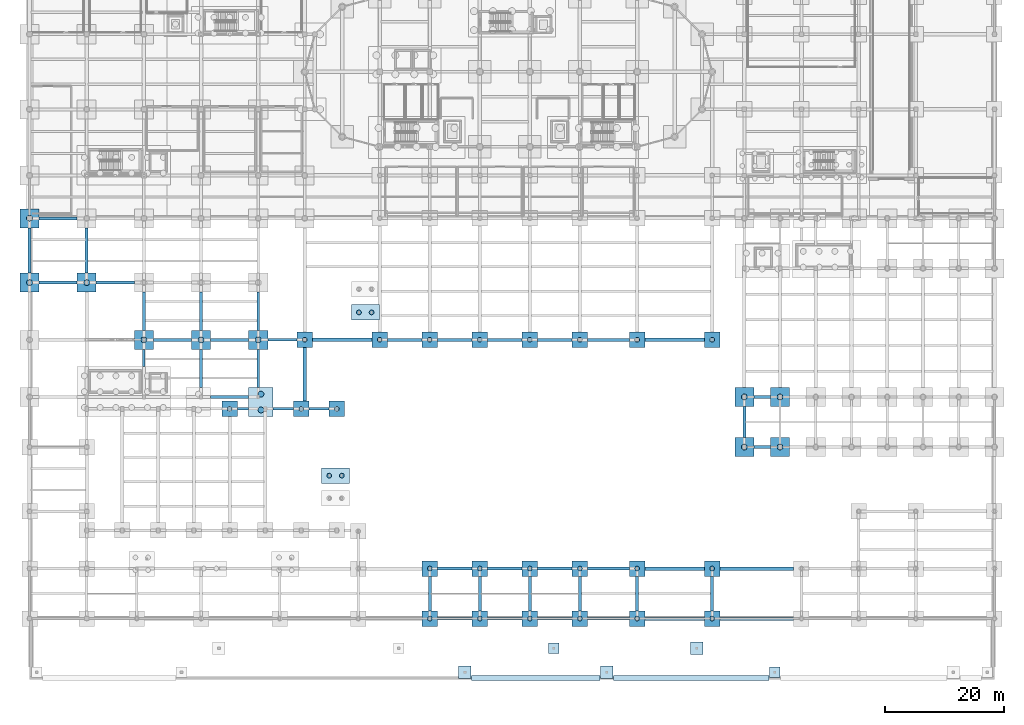
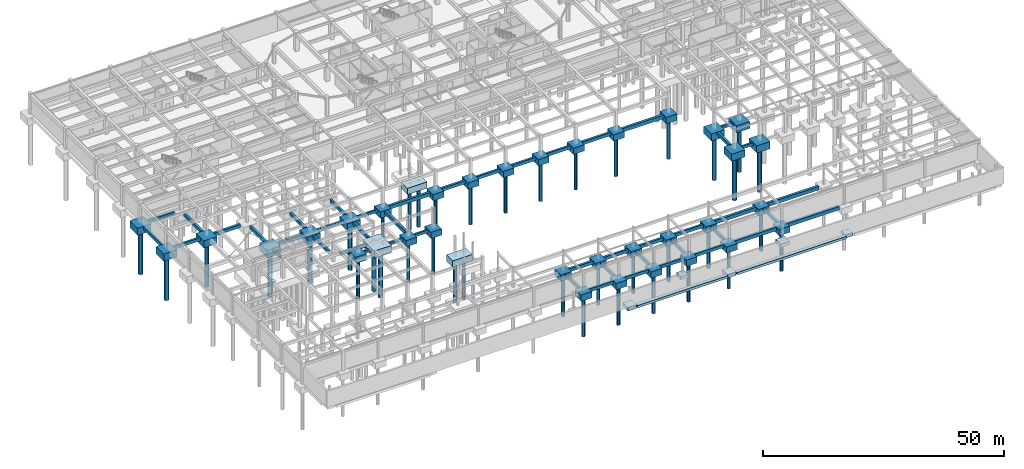
# One storey, part 2 of 37: 90 footings, 39 piles.
"""IFC4 building model written with IfcOpenShell, lengths in metres."""

from ifc_helpers import new_model, si_unit, direction, frame, origin, origin_2d, place, context, subcontext, project, spatial, rectangle, circle, extrude, material, material_profile, profile_set, type_object, element, save


model = new_model("IFC4")

# Units and contexts
model_context = context("Model", 3, precision=1e-05, world=origin(), true_north=direction((0.0, 1.0)))
body_context = subcontext(model_context, "Body", "Model", "MODEL_VIEW")
ifc_project = project(units=[si_unit("LENGTHUNIT", "METRE"), si_unit("AREAUNIT", "SQUARE_METRE"), si_unit("VOLUMEUNIT", "CUBIC_METRE"), si_unit("PLANEANGLEUNIT", "RADIAN"), si_unit("MASSUNIT", "GRAM", prefix="KILO")], contexts=[model_context])

# Site, building, storey
site_placement = place(None, origin())
site = spatial("IfcSite", under=ifc_project, at=site_placement, CompositionType="ELEMENT")
building_placement = place(site_placement, origin())
building = spatial("IfcBuilding", under=site, at=building_placement, Name="Tarnavel Promenade Courthouse", CompositionType="ELEMENT")
storey_placement = place(building_placement, frame((0.0, 0.0, -4.800048828125)))
storey = spatial("IfcBuildingStorey", under=building, at=storey_placement, Name="B01", CompositionType="ELEMENT", Elevation=-4.800048828125)

# Piles
ifc_material_1 = material(Name="Concrete C30/37", Category="concrete")
ifc_material_profile_1 = material_profile(ifc_material_1, circle(Radius=0.5, at=origin_2d()), Name="PILE D1000")
ifc_profile_set_1 = profile_set([ifc_material_profile_1], Name="Concrete C30/37")
pile_type_1 = type_object("IfcPileType", Name="Concrete C30/37 PIL-D1000 (PILE D1000)", PredefinedType="BORED", material=ifc_profile_set_1)
for number, where, z_axis, x_axis, name in (
    (1, (120.0, 28.800048828125, -2.119873046875), (0.0, 0.0, -1.0), (1.0, 0.0, 0.0), "Bored Pile 049-11"),
    (2, (126.0, 28.800048828125, -2.119873046875), (0.0, 0.0, -1.0), (1.0, 0.0, 0.0), "Bored Pile 050-11"),
    (3, (38.85009765625, 35.02490234375, -2.119873046875), (0.0, 0.0, -1.0), (1.0, 0.0, 0.0), "Bored Pile 062-11"),
    (4, (38.85009765625, 37.675048828125, -2.119873046875), (0.0, 0.0, -1.0), (1.0, 0.0, 0.0), "Bored Pile 062-12"),
    (5, (120.0, 37.199951171875, -2.119873046875), (0.0, 0.0, -1.0), (1.0, 0.0, 0.0), "Bored Pile 066-11"),
    (6, (126.0, 37.199951171875, -2.119873046875), (0.0, 0.0, -1.0), (1.0, 0.0, 0.0), "Bored Pile 067-11"),
    (7, (19.199951171875, 46.800048828125, -2.119873046875), (0.0, 0.0, -1.0), (1.0, 0.0, 0.0), "Bored Pile 075-11"),
    (8, (28.800048828125, 46.800048828125, -2.119873046875), (0.0, 0.0, -1.0), (1.0, 0.0, 0.0), "Bored Pile 076-11"),
    (9, (38.39990234375, 46.800048828125, -2.119873046875), (0.0, 0.0, -1.0), (1.0, 0.0, 0.0), "Bored Pile 077-11"),
    (10, (0.0, 56.39990234375, -2.119873046875), (0.0, 0.0, -1.0), (1.0, 0.0, 0.0), "Bored Pile 088-11"),
    (11, (9.60009765625, 56.39990234375, -2.119873046875), (0.0, 0.0, -1.0), (1.0, 0.0, 0.0), "Bored Pile 089-11"),
    (12, (0.0, 67.199951171875, -2.119873046875), (0.0, 0.0, -1.0), (1.0, 0.0, 0.0), "Bored Pile 099-11"),
):
    element("IfcPile", number, at=place(storey_placement, frame(where, z_axis=z_axis, x_axis=x_axis)), inside=storey, type_object=pile_type_1, Name=name, PredefinedType="BORED", context=body_context, shape_type="SweptSolid", body=[
        extrude(circle(Radius=0.5, at=origin_2d()), origin(), (0.0, 0.0, 1.0), 11.280029296875),
    ])
ifc_material_profile_2 = material_profile(ifc_material_1, circle(Radius=0.39990234375, at=origin_2d()), Name="PILE D800")
ifc_profile_set_2 = profile_set([ifc_material_profile_2], Name="Concrete C30/37")
pile_type_2 = type_object("IfcPileType", Name="Concrete C30/37 PIL-D800 (PILE D800)", PredefinedType="BORED", material=ifc_profile_set_2)
for number, where, z_axis, x_axis, name in (
    (13, (67.199951171875, 0.0, -1.919921875), (0.0, 0.0, -1.0), (1.0, 0.0, 0.0), "Bored Pile 007-11"),
    (14, (75.60009765625, 0.0, -1.919921875), (0.0, 0.0, -1.0), (1.0, 0.0, 0.0), "Bored Pile 008-11"),
    (15, (84.0, 0.0, -1.919921875), (0.0, 0.0, -1.0), (1.0, 0.0, 0.0), "Bored Pile 009-11"),
    (16, (92.39990234375, 0.0, -1.919921875), (0.0, 0.0, -1.0), (1.0, 0.0, 0.0), "Bored Pile 010-11"),
    (17, (102.0, 0.0, -1.919921875), (0.0, 0.0, -1.0), (1.0, 0.0, 0.0), "Bored Pile 011-11"),
    (18, (114.60009765625, 0.0, -1.919921875), (0.0, 0.0, -1.0), (1.0, 0.0, 0.0), "Bored Pile 012-11"),
    (19, (67.199951171875, 8.39990234375, -1.919921875), (0.0, 0.0, -1.0), (1.0, 0.0, 0.0), "Bored Pile 023-11"),
    (20, (75.60009765625, 8.39990234375, -1.919921875), (0.0, 0.0, -1.0), (1.0, 0.0, 0.0), "Bored Pile 024-11"),
    (21, (84.0, 8.39990234375, -1.919921875), (0.0, 0.0, -1.0), (1.0, 0.0, 0.0), "Bored Pile 025-11"),
    (22, (92.39990234375, 8.39990234375, -1.919921875), (0.0, 0.0, -1.0), (1.0, 0.0, 0.0), "Bored Pile 026-11"),
    (23, (102.0, 8.39990234375, -1.919921875), (0.0, 0.0, -1.0), (1.0, 0.0, 0.0), "Bored Pile 027-11"),
    (24, (114.60009765625, 8.39990234375, -1.919921875), (0.0, 0.0, -1.0), (1.0, 0.0, 0.0), "Bored Pile 028-11"),
    (25, (50.31005859375, 24.0, -1.919921875), (0.0, 0.0, -1.0), (1.0, 0.0, 0.0), "Bored Pile 048-11"),
    (26, (52.429931640625, 24.0, -1.919921875), (0.0, 0.0, -1.0), (1.0, 0.0, 0.0), "Bored Pile 048-21"),
    (27, (33.60009765625, 35.199951171875, -1.919921875), (0.0, 0.0, -1.0), (1.0, 0.0, 0.0), "Bored Pile 061-11"),
    (28, (45.60009765625, 35.199951171875, -1.919921875), (0.0, 0.0, -1.0), (1.0, 0.0, 0.0), "Bored Pile 063-11"),
    (29, (51.60009765625, 35.199951171875, -1.919921875), (0.0, 0.0, -1.0), (1.0, 0.0, 0.0), "Bored Pile 064-11"),
    (30, (46.199951171875, 46.800048828125, -1.919921875), (0.0, 0.0, -1.0), (1.0, 0.0, 0.0), "Bored Pile 078-11"),
    (31, (58.800048828125, 46.800048828125, -1.919921875), (0.0, 0.0, -1.0), (1.0, 0.0, 0.0), "Bored Pile 079-11"),
    (32, (67.199951171875, 46.800048828125, -1.919921875), (0.0, 0.0, -1.0), (1.0, 0.0, 0.0), "Bored Pile 080-11"),
    (33, (75.60009765625, 46.800048828125, -1.919921875), (0.0, 0.0, -1.0), (1.0, 0.0, 0.0), "Bored Pile 081-11"),
    (34, (84.0, 46.800048828125, -1.919921875), (0.0, 0.0, -1.0), (1.0, 0.0, 0.0), "Bored Pile 082-11"),
    (35, (92.39990234375, 46.800048828125, -1.919921875), (0.0, 0.0, -1.0), (1.0, 0.0, 0.0), "Bored Pile 083-11"),
    (36, (102.0, 46.800048828125, -1.919921875), (0.0, 0.0, -1.0), (1.0, 0.0, 0.0), "Bored Pile 084-11"),
    (37, (114.60009765625, 46.800048828125, -1.919921875), (0.0, 0.0, -1.0), (1.0, 0.0, 0.0), "Bored Pile 085-11"),
    (38, (55.304931640625, 51.39990234375, -1.919921875), (0.0, 0.0, -1.0), (1.0, 0.0, 0.0), "Bored Pile 086-11"),
    (39, (57.425048828125, 51.39990234375, -1.919921875), (0.0, 0.0, -1.0), (1.0, 0.0, 0.0), "Bored Pile 086-21"),
):
    element("IfcPile", number, at=place(storey_placement, frame(where, z_axis=z_axis, x_axis=x_axis)), inside=storey, type_object=pile_type_2, Name=name, PredefinedType="BORED", context=body_context, shape_type="SweptSolid", body=[
        extrude(circle(Radius=0.39990234375, at=origin_2d()), origin(), (0.0, 0.0, 1.0), 10.080078125),
    ])

# Footings
ifc_material_2 = material(Name="Concrete C35/45", Category="concrete")
ifc_material_profile_3 = material_profile(ifc_material_2, rectangle(XDim=0.449951171875, YDim=0.699951171875, at=origin_2d()), Name="GB 450x700")
ifc_profile_set_3 = profile_set([ifc_material_profile_3], Name="Concrete C35/45")
footing_type_1 = type_object("IfcFootingType", Name="Concrete C35/45 FTG-GB-450x700 (GB 450x700)", PredefinedType="FOOTING_BEAM", material=ifc_profile_set_3)
footing_1_placement = place(storey_placement, frame((121.60009765625, 28.800048828125, -0.77001953125), z_axis=(1.0, 0.0, 0.0), x_axis=(0.0, 1.0, 0.0)))
element("IfcFooting", 40, at=footing_1_placement, inside=storey, type_object=footing_type_1, Name="Seismic Ground Tie Beam GB-X-040", PredefinedType="FOOTING_BEAM", context=body_context, shape_type="SweptSolid", body=[
    extrude(rectangle(XDim=0.449951171875, YDim=0.699951171875, at=origin_2d()), origin(), (0.0, 0.0, 1.0), 2.7998046875),
])
footing_2_placement = place(storey_placement, frame((34.89990234375, 35.199951171875, -0.77001953125), z_axis=(1.0, 0.0, 0.0), x_axis=(0.0, 1.0, 0.0)))
element("IfcFooting", 41, at=footing_2_placement, inside=storey, type_object=footing_type_1, Name="Seismic Ground Tie Beam GB-X-049", PredefinedType="FOOTING_BEAM", context=body_context, shape_type="SweptSolid", body=[
    extrude(rectangle(XDim=0.449951171875, YDim=0.699951171875, at=origin_2d()), origin(), (0.0, 0.0, 1.0), 1.900146484375),
])
for number, where, z_axis, x_axis, name in (
    (42, (40.89990234375, 35.199951171875, -0.77001953125), (1.0, 0.0, 0.0), (0.0, 1.0, 0.0), "Seismic Ground Tie Beam GB-X-050"),
    (43, (46.89990234375, 35.199951171875, -0.77001953125), (1.0, 0.0, 0.0), (0.0, 1.0, 0.0), "Seismic Ground Tie Beam GB-X-051"),
):
    element("IfcFooting", number, at=place(storey_placement, frame(where, z_axis=z_axis, x_axis=x_axis)), inside=storey, type_object=footing_type_1, Name=name, PredefinedType="FOOTING_BEAM", context=body_context, shape_type="SweptSolid", body=[
        extrude(rectangle(XDim=0.449951171875, YDim=0.699951171875, at=origin_2d()), origin(), (0.0, 0.0, 1.0), 3.400146484375),
    ])
footing_3_placement = place(storey_placement, frame((121.60009765625, 37.199951171875, -0.77001953125), z_axis=(1.0, 0.0, 0.0), x_axis=(0.0, 1.0, 0.0)))
element("IfcFooting", 44, at=footing_3_placement, inside=storey, type_object=footing_type_1, Name="Seismic Ground Tie Beam GB-X-055", PredefinedType="FOOTING_BEAM", context=body_context, shape_type="SweptSolid", body=[
    extrude(rectangle(XDim=0.449951171875, YDim=0.699951171875, at=origin_2d()), origin(), (0.0, 0.0, 1.0), 2.7998046875),
])
footing_4_placement = place(storey_placement, frame((40.0, 46.800048828125, -0.77001953125), z_axis=(1.0, 0.0, 0.0), x_axis=(0.0, 1.0, 0.0)))
element("IfcFooting", 45, at=footing_4_placement, inside=storey, type_object=footing_type_1, Name="Seismic Ground Tie Beam GB-X-065", PredefinedType="FOOTING_BEAM", context=body_context, shape_type="SweptSolid", body=[
    extrude(rectangle(XDim=0.449951171875, YDim=0.699951171875, at=origin_2d()), origin(), (0.0, 0.0, 1.0), 4.89990234375),
])
footing_5_placement = place(storey_placement, frame((19.199951171875, 42.294921875, -0.77001953125), z_axis=(0.0, 1.0, 0.0), x_axis=(-1.0, 0.0, 0.0)))
element("IfcFooting", 46, at=footing_5_placement, inside=storey, type_object=footing_type_1, Name="Seismic Ground Tie Beam GB-Y-186", PredefinedType="FOOTING_BEAM", context=body_context, shape_type="SweptSolid", body=[
    extrude(rectangle(XDim=0.449951171875, YDim=0.699951171875, at=origin_2d()), origin(), (0.0, 0.0, 1.0), 2.905029296875),
])
ifc_material_profile_4 = material_profile(ifc_material_2, rectangle(XDim=0.5, YDim=0.800048828125, at=origin_2d()), Name="GB 500x800")
ifc_profile_set_4 = profile_set([ifc_material_profile_4], Name="Concrete C35/45")
footing_type_2 = type_object("IfcFootingType", Name="Concrete C35/45 FTG-GB-500x800 (GB 500x800)", PredefinedType="FOOTING_BEAM", material=ifc_profile_set_4)
for number, where, z_axis, x_axis, name in (
    (47, (68.5, 0.0, -0.820068359375), (1.0, 0.0, 0.0), (0.0, 1.0, 0.0), "Seismic Ground Tie Beam GB-X-007"),
    (48, (76.89990234375, 0.0, -0.820068359375), (1.0, 0.0, 0.0), (0.0, 1.0, 0.0), "Seismic Ground Tie Beam GB-X-008"),
    (49, (85.300048828125, 0.0, -0.820068359375), (1.0, 0.0, 0.0), (0.0, 1.0, 0.0), "Seismic Ground Tie Beam GB-X-009"),
):
    element("IfcFooting", number, at=place(storey_placement, frame(where, z_axis=z_axis, x_axis=x_axis)), inside=storey, type_object=footing_type_2, Name=name, PredefinedType="FOOTING_BEAM", context=body_context, shape_type="SweptSolid", body=[
        extrude(rectangle(XDim=0.5, YDim=0.800048828125, at=origin_2d()), origin(), (0.0, 0.0, 1.0), 5.800048828125),
    ])
footing_6_placement = place(storey_placement, frame((93.699951171875, 0.0, -0.820068359375), z_axis=(1.0, 0.0, 0.0), x_axis=(0.0, 1.0, 0.0)))
element("IfcFooting", 50, at=footing_6_placement, inside=storey, type_object=footing_type_2, Name="Seismic Ground Tie Beam GB-X-010", PredefinedType="FOOTING_BEAM", context=body_context, shape_type="SweptSolid", body=[
    extrude(rectangle(XDim=0.5, YDim=0.800048828125, at=origin_2d()), origin(), (0.0, 0.0, 1.0), 7.0),
])
for number, where, z_axis, x_axis, name in (
    (51, (68.5, 8.39990234375, -0.820068359375), (1.0, 0.0, 0.0), (0.0, 1.0, 0.0), "Seismic Ground Tie Beam GB-X-022"),
    (52, (76.89990234375, 8.39990234375, -0.820068359375), (1.0, 0.0, 0.0), (0.0, 1.0, 0.0), "Seismic Ground Tie Beam GB-X-023"),
    (53, (85.300048828125, 8.39990234375, -0.820068359375), (1.0, 0.0, 0.0), (0.0, 1.0, 0.0), "Seismic Ground Tie Beam GB-X-024"),
):
    element("IfcFooting", number, at=place(storey_placement, frame(where, z_axis=z_axis, x_axis=x_axis)), inside=storey, type_object=footing_type_2, Name=name, PredefinedType="FOOTING_BEAM", context=body_context, shape_type="SweptSolid", body=[
        extrude(rectangle(XDim=0.5, YDim=0.800048828125, at=origin_2d()), origin(), (0.0, 0.0, 1.0), 5.800048828125),
    ])
footing_7_placement = place(storey_placement, frame((93.699951171875, 8.39990234375, -0.820068359375), z_axis=(1.0, 0.0, 0.0), x_axis=(0.0, 1.0, 0.0)))
element("IfcFooting", 54, at=footing_7_placement, inside=storey, type_object=footing_type_2, Name="Seismic Ground Tie Beam GB-X-025", PredefinedType="FOOTING_BEAM", context=body_context, shape_type="SweptSolid", body=[
    extrude(rectangle(XDim=0.5, YDim=0.800048828125, at=origin_2d()), origin(), (0.0, 0.0, 1.0), 7.0),
])
footing_8_placement = place(storey_placement, frame((30.39990234375, 37.199951171875, -0.820068359375), z_axis=(1.0, 0.0, 0.0), x_axis=(0.0, 1.0, 0.0)))
element("IfcFooting", 55, at=footing_8_placement, inside=storey, type_object=footing_type_2, Name="Seismic Ground Tie Beam GB-X-054", PredefinedType="FOOTING_BEAM", context=body_context, shape_type="SweptSolid", body=[
    extrude(rectangle(XDim=0.5, YDim=0.800048828125, at=origin_2d()), origin(), (0.0, 0.0, 1.0), 6.400146484375),
])
footing_9_placement = place(storey_placement, frame((20.800048828125, 46.800048828125, -0.820068359375), z_axis=(1.0, 0.0, 0.0), x_axis=(0.0, 1.0, 0.0)))
element("IfcFooting", 56, at=footing_9_placement, inside=storey, type_object=footing_type_2, Name="Seismic Ground Tie Beam GB-X-063", PredefinedType="FOOTING_BEAM", context=body_context, shape_type="SweptSolid", body=[
    extrude(rectangle(XDim=0.5, YDim=0.800048828125, at=origin_2d()), origin(), (0.0, 0.0, 1.0), 6.39990234375),
])
footing_10_placement = place(storey_placement, frame((30.39990234375, 46.800048828125, -0.820068359375), z_axis=(1.0, 0.0, 0.0), x_axis=(0.0, 1.0, 0.0)))
element("IfcFooting", 57, at=footing_10_placement, inside=storey, type_object=footing_type_2, Name="Seismic Ground Tie Beam GB-X-064", PredefinedType="FOOTING_BEAM", context=body_context, shape_type="SweptSolid", body=[
    extrude(rectangle(XDim=0.5, YDim=0.800048828125, at=origin_2d()), origin(), (0.0, 0.0, 1.0), 6.400146484375),
])
footing_11_placement = place(storey_placement, frame((60.10009765625, 46.800048828125, -0.820068359375), z_axis=(1.0, 0.0, 0.0), x_axis=(0.0, 1.0, 0.0)))
element("IfcFooting", 58, at=footing_11_placement, inside=storey, type_object=footing_type_2, Name="Seismic Ground Tie Beam GB-X-067", PredefinedType="FOOTING_BEAM", context=body_context, shape_type="SweptSolid", body=[
    extrude(rectangle(XDim=0.5, YDim=0.800048828125, at=origin_2d()), origin(), (0.0, 0.0, 1.0), 5.7998046875),
])
for number, where, z_axis, x_axis, name in (
    (59, (68.5, 46.800048828125, -0.820068359375), (1.0, 0.0, 0.0), (0.0, 1.0, 0.0), "Seismic Ground Tie Beam GB-X-068"),
    (60, (76.89990234375, 46.800048828125, -0.820068359375), (1.0, 0.0, 0.0), (0.0, 1.0, 0.0), "Seismic Ground Tie Beam GB-X-069"),
    (61, (85.300048828125, 46.800048828125, -0.820068359375), (1.0, 0.0, 0.0), (0.0, 1.0, 0.0), "Seismic Ground Tie Beam GB-X-070"),
):
    element("IfcFooting", number, at=place(storey_placement, frame(where, z_axis=z_axis, x_axis=x_axis)), inside=storey, type_object=footing_type_2, Name=name, PredefinedType="FOOTING_BEAM", context=body_context, shape_type="SweptSolid", body=[
        extrude(rectangle(XDim=0.5, YDim=0.800048828125, at=origin_2d()), origin(), (0.0, 0.0, 1.0), 5.800048828125),
    ])
footing_12_placement = place(storey_placement, frame((93.699951171875, 46.800048828125, -0.820068359375), z_axis=(1.0, 0.0, 0.0), x_axis=(0.0, 1.0, 0.0)))
element("IfcFooting", 62, at=footing_12_placement, inside=storey, type_object=footing_type_2, Name="Seismic Ground Tie Beam GB-X-071", PredefinedType="FOOTING_BEAM", context=body_context, shape_type="SweptSolid", body=[
    extrude(rectangle(XDim=0.5, YDim=0.800048828125, at=origin_2d()), origin(), (0.0, 0.0, 1.0), 7.0),
])
footing_13_placement = place(storey_placement, frame((1.60009765625, 56.39990234375, -0.820068359375), z_axis=(1.0, 0.0, 0.0), x_axis=(0.0, 1.0, 0.0)))
element("IfcFooting", 63, at=footing_13_placement, inside=storey, type_object=footing_type_2, Name="Seismic Ground Tie Beam GB-X-073", PredefinedType="FOOTING_BEAM", context=body_context, shape_type="SweptSolid", body=[
    extrude(rectangle(XDim=0.5, YDim=0.800048828125, at=origin_2d()), origin(), (0.0, 0.0, 1.0), 6.39990234375),
])
footing_14_placement = place(storey_placement, frame((11.199951171875, 56.39990234375, -0.820068359375), z_axis=(1.0, 0.0, 0.0), x_axis=(0.0, 1.0, 0.0)))
element("IfcFooting", 64, at=footing_14_placement, inside=storey, type_object=footing_type_2, Name="Seismic Ground Tie Beam GB-X-074", PredefinedType="FOOTING_BEAM", context=body_context, shape_type="SweptSolid", body=[
    extrude(rectangle(XDim=0.5, YDim=0.800048828125, at=origin_2d()), origin(), (0.0, 0.0, 1.0), 6.400146484375),
])
footing_15_placement = place(storey_placement, frame((1.60009765625, 67.199951171875, -0.820068359375), z_axis=(1.0, 0.0, 0.0), x_axis=(0.0, 1.0, 0.0)))
element("IfcFooting", 65, at=footing_15_placement, inside=storey, type_object=footing_type_2, Name="Seismic Ground Tie Beam GB-X-081", PredefinedType="FOOTING_BEAM", context=body_context, shape_type="SweptSolid", body=[
    extrude(rectangle(XDim=0.5, YDim=0.800048828125, at=origin_2d()), origin(), (0.0, 0.0, 1.0), 6.39990234375),
])
for number, where, z_axis, x_axis, name in (
    (66, (0.0, 58.0, -0.820068359375), (0.0, 1.0, 0.0), (-1.0, 0.0, 0.0), "Seismic Ground Tie Beam GB-Y-171"),
    (67, (9.60009765625, 58.0, -0.820068359375), (0.0, 1.0, 0.0), (-1.0, 0.0, 0.0), "Seismic Ground Tie Beam GB-Y-181"),
):
    element("IfcFooting", number, at=place(storey_placement, frame(where, z_axis=z_axis, x_axis=x_axis)), inside=storey, type_object=footing_type_2, Name=name, PredefinedType="FOOTING_BEAM", context=body_context, shape_type="SweptSolid", body=[
        extrude(rectangle(XDim=0.5, YDim=0.800048828125, at=origin_2d()), origin(), (0.0, 0.0, 1.0), 7.60009765625),
    ])
footing_16_placement = place(storey_placement, frame((19.199951171875, 48.39990234375, -0.820068359375), z_axis=(0.0, 1.0, 0.0), x_axis=(-1.0, 0.0, 0.0)))
element("IfcFooting", 68, at=footing_16_placement, inside=storey, type_object=footing_type_2, Name="Seismic Ground Tie Beam GB-Y-187", PredefinedType="FOOTING_BEAM", context=body_context, shape_type="SweptSolid", body=[
    extrude(rectangle(XDim=0.5, YDim=0.800048828125, at=origin_2d()), origin(), (0.0, 0.0, 1.0), 6.400146484375),
])
footing_17_placement = place(storey_placement, frame((28.800048828125, 38.800048828125, -0.820068359375), z_axis=(0.0, 1.0, 0.0), x_axis=(-1.0, 0.0, 0.0)))
element("IfcFooting", 69, at=footing_17_placement, inside=storey, type_object=footing_type_2, Name="Seismic Ground Tie Beam GB-Y-194", PredefinedType="FOOTING_BEAM", context=body_context, shape_type="SweptSolid", body=[
    extrude(rectangle(XDim=0.5, YDim=0.800048828125, at=origin_2d()), origin(), (0.0, 0.0, 1.0), 6.39990234375),
])
footing_18_placement = place(storey_placement, frame((28.800048828125, 48.39990234375, -0.820068359375), z_axis=(0.0, 1.0, 0.0), x_axis=(-1.0, 0.0, 0.0)))
element("IfcFooting", 70, at=footing_18_placement, inside=storey, type_object=footing_type_2, Name="Seismic Ground Tie Beam GB-Y-195", PredefinedType="FOOTING_BEAM", context=body_context, shape_type="SweptSolid", body=[
    extrude(rectangle(XDim=0.5, YDim=0.800048828125, at=origin_2d()), origin(), (0.0, 0.0, 1.0), 6.400146484375),
])
footing_19_placement = place(storey_placement, frame((38.39990234375, 38.800048828125, -0.820068359375), z_axis=(0.0, 1.0, 0.0), x_axis=(-1.0, 0.0, 0.0)))
element("IfcFooting", 71, at=footing_19_placement, inside=storey, type_object=footing_type_2, Name="Seismic Ground Tie Beam GB-Y-201", PredefinedType="FOOTING_BEAM", context=body_context, shape_type="SweptSolid", body=[
    extrude(rectangle(XDim=0.5, YDim=0.800048828125, at=origin_2d()), origin(), (0.0, 0.0, 1.0), 6.39990234375),
])
footing_20_placement = place(storey_placement, frame((38.39990234375, 48.39990234375, -0.820068359375), z_axis=(0.0, 1.0, 0.0), x_axis=(-1.0, 0.0, 0.0)))
element("IfcFooting", 72, at=footing_20_placement, inside=storey, type_object=footing_type_2, Name="Seismic Ground Tie Beam GB-Y-202", PredefinedType="FOOTING_BEAM", context=body_context, shape_type="SweptSolid", body=[
    extrude(rectangle(XDim=0.5, YDim=0.800048828125, at=origin_2d()), origin(), (0.0, 0.0, 1.0), 6.400146484375),
])
for number, where, z_axis, x_axis, name in (
    (73, (67.199951171875, 1.300048828125, -0.820068359375), (0.0, 1.0, 0.0), (-1.0, 0.0, 0.0), "Seismic Ground Tie Beam GB-Y-219"),
    (74, (75.60009765625, 1.300048828125, -0.820068359375), (0.0, 1.0, 0.0), (-1.0, 0.0, 0.0), "Seismic Ground Tie Beam GB-Y-225"),
    (75, (84.0, 1.300048828125, -0.820068359375), (0.0, 1.0, 0.0), (-1.0, 0.0, 0.0), "Seismic Ground Tie Beam GB-Y-231"),
    (76, (92.39990234375, 1.300048828125, -0.820068359375), (0.0, 1.0, 0.0), (-1.0, 0.0, 0.0), "Seismic Ground Tie Beam GB-Y-237"),
    (77, (102.0, 1.300048828125, -0.820068359375), (0.0, 1.0, 0.0), (-1.0, 0.0, 0.0), "Seismic Ground Tie Beam GB-Y-243"),
    (78, (114.60009765625, 1.300048828125, -0.820068359375), (0.0, 1.0, 0.0), (-1.0, 0.0, 0.0), "Seismic Ground Tie Beam GB-Y-249"),
):
    element("IfcFooting", number, at=place(storey_placement, frame(where, z_axis=z_axis, x_axis=x_axis)), inside=storey, type_object=footing_type_2, Name=name, PredefinedType="FOOTING_BEAM", context=body_context, shape_type="SweptSolid", body=[
        extrude(rectangle(XDim=0.5, YDim=0.800048828125, at=origin_2d()), origin(), (0.0, 0.0, 1.0), 5.800048828125),
    ])
footing_21_placement = place(storey_placement, frame((120.0, 30.39990234375, -0.820068359375), z_axis=(0.0, 1.0, 0.0), x_axis=(-1.0, 0.0, 0.0)))
element("IfcFooting", 79, at=footing_21_placement, inside=storey, type_object=footing_type_2, Name="Seismic Ground Tie Beam GB-Y-251", PredefinedType="FOOTING_BEAM", context=body_context, shape_type="SweptSolid", body=[
    extrude(rectangle(XDim=0.5, YDim=0.800048828125, at=origin_2d()), origin(), (0.0, 0.0, 1.0), 5.2001953125),
])
ifc_material_profile_5 = material_profile(ifc_material_2, rectangle(XDim=0.60009765625, YDim=0.89990234375, at=origin_2d()), Name="GB 600x900")
ifc_profile_set_5 = profile_set([ifc_material_profile_5], Name="Concrete C35/45")
footing_type_3 = type_object("IfcFootingType", Name="Concrete C35/45 FTG-GB-600x900 (GB 600x900)", PredefinedType="FOOTING_BEAM", material=ifc_profile_set_5)
footing_22_placement = place(storey_placement, frame((103.300048828125, 0.0, -0.869873046875), z_axis=(1.0, 0.0, 0.0), x_axis=(0.0, 1.0, 0.0)))
element("IfcFooting", 80, at=footing_22_placement, inside=storey, type_object=footing_type_3, Name="Seismic Ground Tie Beam GB-X-011", PredefinedType="FOOTING_BEAM", context=body_context, shape_type="SweptSolid", body=[
    extrude(rectangle(XDim=0.60009765625, YDim=0.89990234375, at=origin_2d()), origin(), (0.0, 0.0, 1.0), 10.0),
])
footing_23_placement = place(storey_placement, frame((115.89990234375, 0.0, -0.869873046875), z_axis=(1.0, 0.0, 0.0), x_axis=(0.0, 1.0, 0.0)))
element("IfcFooting", 81, at=footing_23_placement, inside=storey, type_object=footing_type_3, Name="Seismic Ground Tie Beam GB-X-012", PredefinedType="FOOTING_BEAM", context=body_context, shape_type="SweptSolid", body=[
    extrude(rectangle(XDim=0.60009765625, YDim=0.89990234375, at=origin_2d()), origin(), (0.0, 0.0, 1.0), 12.400146484375),
])
footing_24_placement = place(storey_placement, frame((103.300048828125, 8.39990234375, -0.869873046875), z_axis=(1.0, 0.0, 0.0), x_axis=(0.0, 1.0, 0.0)))
element("IfcFooting", 82, at=footing_24_placement, inside=storey, type_object=footing_type_3, Name="Seismic Ground Tie Beam GB-X-026", PredefinedType="FOOTING_BEAM", context=body_context, shape_type="SweptSolid", body=[
    extrude(rectangle(XDim=0.60009765625, YDim=0.89990234375, at=origin_2d()), origin(), (0.0, 0.0, 1.0), 10.0),
])
footing_25_placement = place(storey_placement, frame((115.89990234375, 8.39990234375, -0.869873046875), z_axis=(1.0, 0.0, 0.0), x_axis=(0.0, 1.0, 0.0)))
element("IfcFooting", 83, at=footing_25_placement, inside=storey, type_object=footing_type_3, Name="Seismic Ground Tie Beam GB-X-027", PredefinedType="FOOTING_BEAM", context=body_context, shape_type="SweptSolid", body=[
    extrude(rectangle(XDim=0.60009765625, YDim=0.89990234375, at=origin_2d()), origin(), (0.0, 0.0, 1.0), 12.400146484375),
])
for number, where, z_axis, x_axis, name in (
    (84, (47.5, 46.800048828125, -0.869873046875), (1.0, 0.0, 0.0), (0.0, 1.0, 0.0), "Seismic Ground Tie Beam GB-X-066"),
    (85, (103.300048828125, 46.800048828125, -0.869873046875), (1.0, 0.0, 0.0), (0.0, 1.0, 0.0), "Seismic Ground Tie Beam GB-X-072"),
):
    element("IfcFooting", number, at=place(storey_placement, frame(where, z_axis=z_axis, x_axis=x_axis)), inside=storey, type_object=footing_type_3, Name=name, PredefinedType="FOOTING_BEAM", context=body_context, shape_type="SweptSolid", body=[
        extrude(rectangle(XDim=0.60009765625, YDim=0.89990234375, at=origin_2d()), origin(), (0.0, 0.0, 1.0), 10.0),
    ])
footing_26_placement = place(storey_placement, frame((46.199951171875, 36.5, -0.869873046875), z_axis=(0.0, 1.0, 0.0), x_axis=(-1.0, 0.0, 0.0)))
element("IfcFooting", 86, at=footing_26_placement, inside=storey, type_object=footing_type_3, Name="Seismic Ground Tie Beam GB-Y-208", PredefinedType="FOOTING_BEAM", context=body_context, shape_type="SweptSolid", body=[
    extrude(rectangle(XDim=0.60009765625, YDim=0.89990234375, at=origin_2d()), origin(), (0.0, 0.0, 1.0), 9.0),
])
footing_type_4 = type_object("IfcFootingType", Name="Concrete C35/45 FTG-PAD-1800 (1800x1800x800)", PredefinedType="PAD_FOOTING", material=ifc_material_2)
for number, where, z_axis, x_axis, name in (
    (87, (88.0, -5.0, -1.22021484375), (0.0, 0.0, 1.0), (1.0, 0.0, 0.0), "Frost-Depth Plinth Pad Footing PF-05"),
    (88, (125.10009765625, -9.0, -1.22021484375), (0.0, 0.0, 1.0), (1.0, 0.0, 0.0), "Frost-Depth Plinth Pad Footing PF-07"),
):
    element("IfcFooting", number, at=place(storey_placement, frame(where, z_axis=z_axis, x_axis=x_axis)), inside=storey, type_object=footing_type_4, Name=name, PredefinedType="PAD_FOOTING", context=body_context, shape_type="SweptSolid", body=[
        extrude(rectangle(XDim=1.800048828125, YDim=1.800048828125, at=origin_2d()), origin(), (0.0, 0.0, 1.0), 0.800048828125),
    ])
footing_type_5 = type_object("IfcFootingType", Name="Concrete C35/45 FTG-PAD-2100 (2100x2100x900)", PredefinedType="PAD_FOOTING", material=ifc_material_2)
for number, where, z_axis, x_axis, name in (
    (89, (73.10009765625, -9.0, -1.31982421875), (0.0, 0.0, 1.0), (1.0, 0.0, 0.0), "Frost-Depth Plinth Pad Footing PF-04"),
    (90, (112.0, -5.0, -1.31982421875), (0.0, 0.0, 1.0), (1.0, 0.0, 0.0), "Frost-Depth Plinth Pad Footing PF-06"),
    (91, (96.89990234375, -9.0, -1.31982421875), (0.0, 0.0, 1.0), (1.0, 0.0, 0.0), "Frost-Depth Plinth Pad Footing PF-10"),
):
    element("IfcFooting", number, at=place(storey_placement, frame(where, z_axis=z_axis, x_axis=x_axis)), inside=storey, type_object=footing_type_5, Name=name, PredefinedType="PAD_FOOTING", context=body_context, shape_type="SweptSolid", body=[
        extrude(rectangle(XDim=2.10009765625, YDim=2.10009765625, at=origin_2d()), origin(), (0.0, 0.0, 1.0), 0.89990234375),
    ])
ifc_material_profile_6 = material_profile(ifc_material_2, rectangle(XDim=0.89990234375, YDim=0.60009765625, at=origin_2d()), Name="SF 900x600")
ifc_profile_set_6 = profile_set([ifc_material_profile_6], Name="Concrete C35/45")
footing_type_6 = type_object("IfcFootingType", Name="Concrete C35/45 FTG-SF-900x600 (SF 900x600)", PredefinedType="STRIP_FOOTING", material=ifc_profile_set_6)
footing_27_placement = place(storey_placement, frame((74.199951171875, -9.97998046875, -0.719970703125), z_axis=(1.0, 0.0, 0.0), x_axis=(0.0, 1.0, 0.0)))
element("IfcFooting", 92, at=footing_27_placement, inside=storey, type_object=footing_type_6, Name="Plinth Frost-Skirt Strip Footing X-002", PredefinedType="STRIP_FOOTING", context=body_context, shape_type="SweptSolid", body=[
    extrude(rectangle(XDim=0.89990234375, YDim=0.60009765625, at=origin_2d()), origin(), (0.0, 0.0, 1.0), 21.60009765625),
])
footing_28_placement = place(storey_placement, frame((98.0, -9.97998046875, -0.719970703125), z_axis=(1.0, 0.0, 0.0), x_axis=(0.0, 1.0, 0.0)))
element("IfcFooting", 93, at=footing_28_placement, inside=storey, type_object=footing_type_6, Name="Plinth Frost-Skirt Strip Footing X-003", PredefinedType="STRIP_FOOTING", context=body_context, shape_type="SweptSolid", body=[
    extrude(rectangle(XDim=0.89990234375, YDim=0.60009765625, at=origin_2d()), origin(), (0.0, 0.0, 1.0), 26.14990234375),
])
footing_type_7 = type_object("IfcFootingType", Name="Concrete C35/45 Pile Cap PC-01 (2600x2600x1600)", PredefinedType="PILE_CAP", material=ifc_material_2)
for number, where, z_axis, x_axis, name in (
    (94, (67.199951171875, 0.0, -2.02001953125), (0.0, 0.0, 1.0), (1.0, 0.0, 0.0), "Pile Cap 007"),
    (95, (75.60009765625, 0.0, -2.02001953125), (0.0, 0.0, 1.0), (1.0, 0.0, 0.0), "Pile Cap 008"),
    (96, (84.0, 0.0, -2.02001953125), (0.0, 0.0, 1.0), (1.0, 0.0, 0.0), "Pile Cap 009"),
    (97, (92.39990234375, 0.0, -2.02001953125), (0.0, 0.0, 1.0), (1.0, 0.0, 0.0), "Pile Cap 010"),
    (98, (102.0, 0.0, -2.02001953125), (0.0, 0.0, 1.0), (1.0, 0.0, 0.0), "Pile Cap 011"),
    (99, (114.60009765625, 0.0, -2.02001953125), (0.0, 0.0, 1.0), (1.0, 0.0, 0.0), "Pile Cap 012"),
    (100, (67.199951171875, 8.39990234375, -2.02001953125), (0.0, 0.0, 1.0), (1.0, 0.0, 0.0), "Pile Cap 023"),
    (101, (75.60009765625, 8.39990234375, -2.02001953125), (0.0, 0.0, 1.0), (1.0, 0.0, 0.0), "Pile Cap 024"),
    (102, (84.0, 8.39990234375, -2.02001953125), (0.0, 0.0, 1.0), (1.0, 0.0, 0.0), "Pile Cap 025"),
    (103, (92.39990234375, 8.39990234375, -2.02001953125), (0.0, 0.0, 1.0), (1.0, 0.0, 0.0), "Pile Cap 026"),
    (104, (102.0, 8.39990234375, -2.02001953125), (0.0, 0.0, 1.0), (1.0, 0.0, 0.0), "Pile Cap 027"),
    (105, (114.60009765625, 8.39990234375, -2.02001953125), (0.0, 0.0, 1.0), (1.0, 0.0, 0.0), "Pile Cap 028"),
    (106, (33.60009765625, 35.199951171875, -2.02001953125), (0.0, 0.0, 1.0), (1.0, 0.0, 0.0), "Pile Cap 061"),
    (107, (45.60009765625, 35.199951171875, -2.02001953125), (0.0, 0.0, 1.0), (1.0, 0.0, 0.0), "Pile Cap 063"),
    (108, (51.60009765625, 35.199951171875, -2.02001953125), (0.0, 0.0, 1.0), (1.0, 0.0, 0.0), "Pile Cap 064"),
    (109, (46.199951171875, 46.800048828125, -2.02001953125), (0.0, 0.0, 1.0), (1.0, 0.0, 0.0), "Pile Cap 078"),
    (110, (58.800048828125, 46.800048828125, -2.02001953125), (0.0, 0.0, 1.0), (1.0, 0.0, 0.0), "Pile Cap 079"),
    (111, (67.199951171875, 46.800048828125, -2.02001953125), (0.0, 0.0, 1.0), (1.0, 0.0, 0.0), "Pile Cap 080"),
    (112, (75.60009765625, 46.800048828125, -2.02001953125), (0.0, 0.0, 1.0), (1.0, 0.0, 0.0), "Pile Cap 081"),
    (113, (84.0, 46.800048828125, -2.02001953125), (0.0, 0.0, 1.0), (1.0, 0.0, 0.0), "Pile Cap 082"),
    (114, (92.39990234375, 46.800048828125, -2.02001953125), (0.0, 0.0, 1.0), (1.0, 0.0, 0.0), "Pile Cap 083"),
    (115, (102.0, 46.800048828125, -2.02001953125), (0.0, 0.0, 1.0), (1.0, 0.0, 0.0), "Pile Cap 084"),
    (116, (114.60009765625, 46.800048828125, -2.02001953125), (0.0, 0.0, 1.0), (1.0, 0.0, 0.0), "Pile Cap 085"),
):
    element("IfcFooting", number, at=place(storey_placement, frame(where, z_axis=z_axis, x_axis=x_axis)), inside=storey, type_object=footing_type_7, Name=name, PredefinedType="PILE_CAP", context=body_context, shape_type="SweptSolid", body=[
        extrude(rectangle(XDim=2.60009765625, YDim=2.60009765625, at=origin_2d()), origin(), (0.0, 0.0, 1.0), 1.60009765625),
    ])
footing_type_8 = type_object("IfcFootingType", Name="Concrete C35/45 Pile Cap PC-05 (4700x2600x1600)", PredefinedType="PILE_CAP", material=ifc_material_2)
for number, where, z_axis, x_axis, name in (
    (117, (51.3701171875, 24.0, -2.02001953125), (0.0, 0.0, 1.0), (1.0, 0.0, 0.0), "Pile Cap 048"),
    (118, (56.364990234375, 51.39990234375, -2.02001953125), (0.0, 0.0, 1.0), (1.0, 0.0, 0.0), "Pile Cap 086"),
):
    element("IfcFooting", number, at=place(storey_placement, frame(where, z_axis=z_axis, x_axis=x_axis)), inside=storey, type_object=footing_type_8, Name=name, PredefinedType="PILE_CAP", context=body_context, shape_type="SweptSolid", body=[
        extrude(rectangle(XDim=4.699951171875, YDim=2.60009765625, at=origin_2d()), origin(), (0.0, 0.0, 1.0), 1.60009765625),
    ])
footing_type_9 = type_object("IfcFootingType", Name="Concrete C35/45 Pile Cap PC-06 (3200x3200x1800)", PredefinedType="PILE_CAP", material=ifc_material_2)
for number, where, z_axis, x_axis, name in (
    (119, (120.0, 28.800048828125, -2.22021484375), (0.0, 0.0, 1.0), (1.0, 0.0, 0.0), "Pile Cap 049"),
    (120, (126.0, 28.800048828125, -2.22021484375), (0.0, 0.0, 1.0), (1.0, 0.0, 0.0), "Pile Cap 050"),
    (121, (120.0, 37.199951171875, -2.22021484375), (0.0, 0.0, 1.0), (1.0, 0.0, 0.0), "Pile Cap 066"),
    (122, (126.0, 37.199951171875, -2.22021484375), (0.0, 0.0, 1.0), (1.0, 0.0, 0.0), "Pile Cap 067"),
    (123, (19.199951171875, 46.800048828125, -2.22021484375), (0.0, 0.0, 1.0), (1.0, 0.0, 0.0), "Pile Cap 075"),
    (124, (28.800048828125, 46.800048828125, -2.22021484375), (0.0, 0.0, 1.0), (1.0, 0.0, 0.0), "Pile Cap 076"),
    (125, (38.39990234375, 46.800048828125, -2.22021484375), (0.0, 0.0, 1.0), (1.0, 0.0, 0.0), "Pile Cap 077"),
    (126, (0.0, 56.39990234375, -2.22021484375), (0.0, 0.0, 1.0), (1.0, 0.0, 0.0), "Pile Cap 088"),
    (127, (9.60009765625, 56.39990234375, -2.22021484375), (0.0, 0.0, 1.0), (1.0, 0.0, 0.0), "Pile Cap 089"),
    (128, (0.0, 67.199951171875, -2.22021484375), (0.0, 0.0, 1.0), (1.0, 0.0, 0.0), "Pile Cap 099"),
):
    element("IfcFooting", number, at=place(storey_placement, frame(where, z_axis=z_axis, x_axis=x_axis)), inside=storey, type_object=footing_type_9, Name=name, PredefinedType="PILE_CAP", context=body_context, shape_type="SweptSolid", body=[
        extrude(rectangle(XDim=3.199951171875, YDim=3.199951171875, at=origin_2d()), origin(), (0.0, 0.0, 1.0), 1.800048828125),
    ])
footing_type_10 = type_object("IfcFootingType", Name="Concrete C35/45 Pile Cap PC-08 (4100x4900x1800)", PredefinedType="PILE_CAP", material=ifc_material_2)
footing_29_placement = place(storey_placement, frame((38.85009765625, 36.35009765625, -2.22021484375), z_axis=(0.0, 0.0, 1.0), x_axis=(1.0, 0.0, 0.0)))
element("IfcFooting", 129, at=footing_29_placement, inside=storey, type_object=footing_type_10, Name="Pile Cap 062", PredefinedType="PILE_CAP", context=body_context, shape_type="SweptSolid", body=[
    extrude(rectangle(XDim=4.10009765625, YDim=4.89990234375, at=origin_2d()), origin(), (0.0, 0.0, 1.0), 1.800048828125),
])

save(model, "model.ifc")
